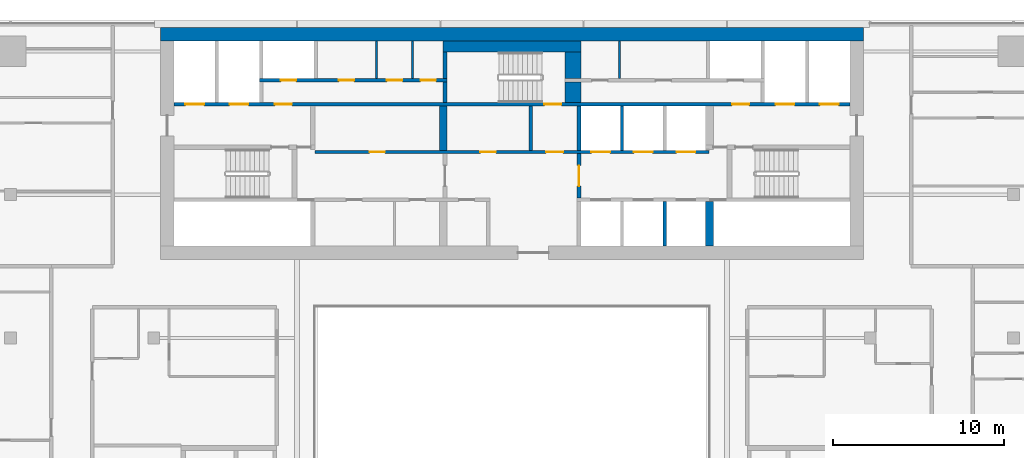
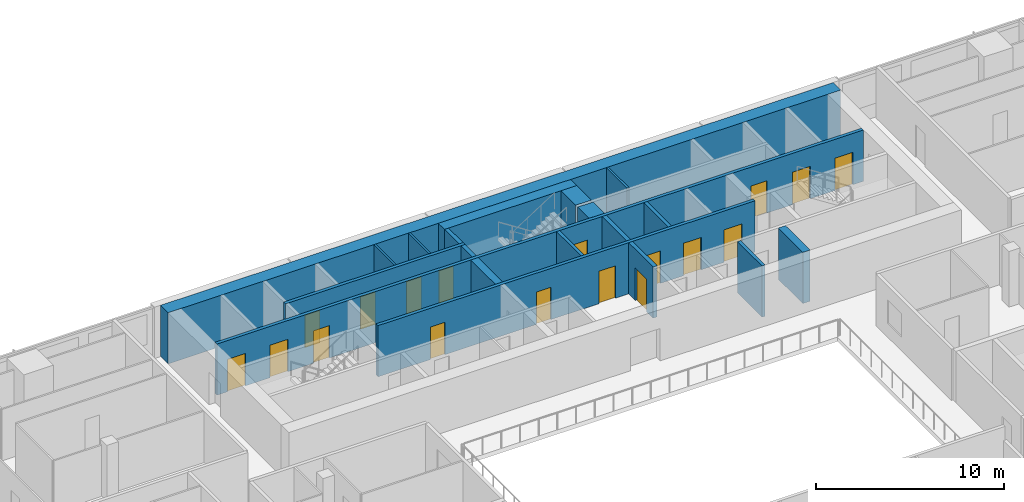
# One storey, part 22 of 30: 19 walls, 18 doors, 18 openings.
"""IFC4 building model written with IfcOpenShell, lengths in metres."""

from ifc_helpers import new_model, si_unit, direction, frame, frame_2d, origin, place, context, subcontext, project, spatial, rectangle, extrude, material, layer, layer_set, type_object, element, fill, save


model = new_model("IFC4")

# Units and contexts
model_context = context("Model", 3, precision=1e-05, world=origin(), true_north=direction((0.0, 1.0)))
body_context = subcontext(model_context, "Body", "Model", "MODEL_VIEW")
ifc_project = project(units=[si_unit("LENGTHUNIT", "METRE"), si_unit("AREAUNIT", "SQUARE_METRE"), si_unit("VOLUMEUNIT", "CUBIC_METRE"), si_unit("PLANEANGLEUNIT", "RADIAN"), si_unit("MASSUNIT", "GRAM", prefix="KILO")], contexts=[model_context])

# Site, building, storey
site_placement = place(None, origin())
site = spatial("IfcSite", under=ifc_project, at=site_placement, CompositionType="ELEMENT")
building_placement = place(site_placement, origin())
building = spatial("IfcBuilding", under=site, at=building_placement, Name="Saffron Gate Tower", CompositionType="ELEMENT")
storey_placement = place(building_placement, frame((0.0, 0.0, 165.449951171875)))
storey = spatial("IfcBuildingStorey", under=building, at=storey_placement, Name="L40", CompositionType="ELEMENT", Elevation=165.449951171875)

# Walls
ifc_material_1 = material(Name="Gypsum board partition on steel studs", Category="steel")
ifc_layer_1 = layer(ifc_material_1, 0.199951171875)
ifc_layer_set_1 = layer_set([ifc_layer_1], Name="CW10 Core partition 200")
wall_type_1 = type_object("IfcWallType", Name="CW10 Core partition 200", PredefinedType="PARTITIONING", material=ifc_layer_set_1)
wall_1_placement = place(storey_placement, frame((88.699951171875, 68.0, 0.0), z_axis=(0.0, 0.0, 1.0), x_axis=(0.0, 1.0, 0.0)))
element("IfcWall", 1, at=wall_1_placement, inside=storey, type_object=wall_type_1, Name="Wall CW10-L40-21", PredefinedType="PARTITIONING", context=body_context, shape_type="SweptSolid", body=[
    extrude(rectangle(XDim=2.60009765625, YDim=0.199951171875, at=frame_2d((1.300048828125, 0.0))), origin(), (0.0, 0.0, 1.0), 3.320068359375),
])
ifc_material_2 = material(Name="Concrete C60", Category="concrete")
ifc_layer_2 = layer(ifc_material_2, 0.800048828125)
ifc_layer_set_2 = layer_set([ifc_layer_2], Name="CW13 RC core wall 800 C60")
wall_type_2 = type_object("IfcWallType", Name="CW13 RC core wall 800 C60", PredefinedType="SOLIDWALL", material=ifc_layer_set_2)
wall_2_placement = place(storey_placement, frame((67.0, 74.800048828125, 0.0), z_axis=(0.0, 0.0, 1.0), x_axis=(1.0, 0.0, 0.0)))
element("IfcWall", 2, at=wall_2_placement, inside=storey, type_object=wall_type_2, Name="Wall CW13-L40-2", PredefinedType="SOLIDWALL", context=body_context, shape_type="SweptSolid", body=[
    extrude(rectangle(XDim=41.199951171875, YDim=0.800048828125, at=frame_2d((20.60009765625, 0.0))), origin(), (0.0, 0.0, 1.0), 3.320068359375),
])

# Wall, opening, door
ifc_layer_3 = layer(ifc_material_2, 0.25)
ifc_layer_set_3 = layer_set([ifc_layer_3], Name="CW14 RC core wall 250 C60")
wall_type_3 = type_object("IfcWallType", Name="CW14 RC core wall 250 C60", PredefinedType="SOLIDWALL", material=ifc_layer_set_3)
wall_3_placement = place(storey_placement, frame((91.52490234375, 65.199951171875, 0.0), z_axis=(0.0, 0.0, 1.0), x_axis=(0.0, 1.0, 0.0)))
wall_3 = element("IfcWall", 3, at=wall_3_placement, inside=storey, type_object=wall_type_3, Name="Wall CW14-L40-17", PredefinedType="SOLIDWALL", context=body_context, shape_type="SweptSolid", body=[
    extrude(rectangle(XDim=2.60009765625, YDim=0.25, at=frame_2d((1.300048828125, 0.0))), origin(), (0.0, 0.0, 1.0), 3.320068359375),
])
opening_1_placement = place(wall_3_placement, frame((0.699951171875, 0.0, 0.0)))
opening_1 = element("IfcOpeningElement", 4, at=opening_1_placement, cuts=wall_3, Name="Opening CR-01", PredefinedType="OPENING", context=body_context, shape_type="SweptSolid", body=[
    extrude(rectangle(XDim=1.199951171875, YDim=2.10009765625, at=frame_2d((0.60009765625, 1.050048828125))), frame((0.0, 0.135009765625, 0.0), z_axis=(0.0, -1.0, 0.0), x_axis=(1.0, 0.0, 0.0)), (0.0, 0.0, 1.0), 0.27001953125),
])
ifc_material_3 = material(Name="Steel fire door set", Category="steel")
door_type_1 = type_object("IfcDoorType", Name="CD3 Lobby door 1200x2100 EI 120", OperationType="NOTDEFINED", PredefinedType="DOOR", material=ifc_material_3)
door_1_placement = place(opening_1_placement, origin())
door_1 = element("IfcDoor", 5, at=door_1_placement, inside=storey, type_object=door_type_1, Name="DOOR CR-01", OperationType="SINGLE_SWING_RIGHT", OverallHeight=2.10009765625, OverallWidth=1.199951171875, PredefinedType="DOOR", context=body_context, shape_type="SweptSolid", body=[
    extrude(rectangle(XDim=1.199951171875, YDim=2.10009765625, at=frame_2d((0.60009765625, 1.050048828125))), frame((0.0, 0.02490234375, 0.0), z_axis=(0.0, -1.0, 0.0), x_axis=(1.0, 0.0, 0.0)), (0.0, 0.0, 1.0), 0.050048828125),
])
fill(opening_1, door_1)

# Walls
wall_4_placement = place(storey_placement, frame((91.52490234375, 68.0, 0.0), z_axis=(0.0, 0.0, 1.0), x_axis=(0.0, 1.0, 0.0)))
element("IfcWall", 6, at=wall_4_placement, inside=storey, type_object=wall_type_3, Name="Wall CW14-L40-22", PredefinedType="SOLIDWALL", context=body_context, shape_type="SweptSolid", body=[
    extrude(rectangle(XDim=2.60009765625, YDim=0.25, at=frame_2d((1.300048828125, 0.0))), origin(), (0.0, 0.0, 1.0), 3.320068359375),
])
wall_5_placement = place(storey_placement, frame((83.675048828125, 70.800048828125, 0.0), z_axis=(0.0, 0.0, 1.0), x_axis=(0.0, 1.0, 0.0)))
element("IfcWall", 7, at=wall_5_placement, inside=storey, type_object=wall_type_3, Name="Wall CW14-L40-33", PredefinedType="SOLIDWALL", context=body_context, shape_type="SweptSolid", body=[
    extrude(rectangle(XDim=1.199951171875, YDim=0.25, at=frame_2d((0.60009765625, 0.0))), origin(), (0.0, 0.0, 1.0), 3.320068359375),
])
wall_6_placement = place(storey_placement, frame((83.675048828125, 72.199951171875, 0.0), z_axis=(0.0, 0.0, 1.0), x_axis=(0.0, 1.0, 0.0)))
element("IfcWall", 8, at=wall_6_placement, inside=storey, type_object=wall_type_3, Name="Wall CW14-L40-43", PredefinedType="SOLIDWALL", context=body_context, shape_type="SweptSolid", body=[
    extrude(rectangle(XDim=1.550048828125, YDim=0.25, at=frame_2d((0.77490234375, 0.0))), origin(), (0.0, 0.0, 1.0), 3.320068359375),
])
ifc_layer_4 = layer(ifc_material_2, 0.199951171875)
ifc_layer_set_4 = layer_set([ifc_layer_4], Name="CW15 RC core wall 200 C60")
wall_type_4 = type_object("IfcWallType", Name="CW15 RC core wall 200 C60", PredefinedType="SOLIDWALL", material=ifc_layer_set_4)
wall_7_placement = place(storey_placement, frame((96.550048828125, 62.39990234375, 0.0), z_axis=(0.0, 0.0, 1.0), x_axis=(0.0, 1.0, 0.0)))
element("IfcWall", 9, at=wall_7_placement, inside=storey, type_object=wall_type_4, Name="Wall CW15-L40-11", PredefinedType="SOLIDWALL", context=body_context, shape_type="SweptSolid", body=[
    extrude(rectangle(XDim=2.60009765625, YDim=0.199951171875, at=frame_2d((1.300048828125, 0.0))), origin(), (0.0, 0.0, 1.0), 3.320068359375),
])

# Wall, openings, doors
wall_8_placement = place(storey_placement, frame((76.050048828125, 67.89990234375, 0.0), z_axis=(0.0, 0.0, 1.0), x_axis=(1.0, 0.0, 0.0)))
wall_8 = element("IfcWall", 10, at=wall_8_placement, inside=storey, type_object=wall_type_4, Name="Wall CW15-L40-19", PredefinedType="SOLIDWALL", context=body_context, shape_type="SweptSolid", body=[
    extrude(rectangle(XDim=23.099853515625, YDim=0.199951171875, at=frame_2d((11.5498046875, 0.0))), origin(), (0.0, 0.0, 1.0), 3.320068359375),
])
opening_2_placement = place(wall_8_placement, frame((3.199951171875, 0.0, 0.0)))
opening_2 = element("IfcOpeningElement", 11, at=opening_2_placement, cuts=wall_8, Name="Opening CR-61", PredefinedType="OPENING", context=body_context, shape_type="SweptSolid", body=[
    extrude(rectangle(XDim=0.89990234375, YDim=2.10009765625, at=frame_2d((0.449951171875, 1.050048828125))), frame((0.0, 0.10986328125, 0.0), z_axis=(0.0, -1.0, 0.0), x_axis=(1.0, 0.0, 0.0)), (0.0, 0.0, 1.0), 0.219970703125),
])
opening_3_placement = place(wall_8_placement, frame((9.699951171875, 0.0, 0.0)))
opening_3 = element("IfcOpeningElement", 12, at=opening_3_placement, cuts=wall_8, Name="Opening CR-67", PredefinedType="OPENING", context=body_context, shape_type="SweptSolid", body=[
    extrude(rectangle(XDim=0.89990234375, YDim=2.10009765625, at=frame_2d((0.449951171875, 1.050048828125))), frame((0.0, 0.10986328125, 0.0), z_axis=(0.0, -1.0, 0.0), x_axis=(1.0, 0.0, 0.0)), (0.0, 0.0, 1.0), 0.219970703125),
])
opening_4_placement = place(wall_8_placement, frame((13.550048828125, 0.0, 0.0)))
opening_4 = element("IfcOpeningElement", 13, at=opening_4_placement, cuts=wall_8, Name="Opening CR-02", PredefinedType="OPENING", context=body_context, shape_type="SweptSolid", body=[
    extrude(rectangle(XDim=1.0, YDim=2.10009765625, at=frame_2d((0.5, 1.050048828125))), frame((0.0, 0.10986328125, 0.0), z_axis=(0.0, -1.0, 0.0), x_axis=(1.0, 0.0, 0.0)), (0.0, 0.0, 1.0), 0.219970703125),
])
opening_5_placement = place(wall_8_placement, frame((16.199951171875, 0.0, 0.0)))
opening_5 = element("IfcOpeningElement", 14, at=opening_5_placement, cuts=wall_8, Name="Opening LD-HR4", PredefinedType="OPENING", context=body_context, shape_type="SweptSolid", body=[
    extrude(rectangle(XDim=1.10009765625, YDim=2.10009765625, at=frame_2d((0.550048828125, 1.050048828125))), frame((0.0, 0.10986328125, 0.0), z_axis=(0.0, -1.0, 0.0), x_axis=(1.0, 0.0, 0.0)), (0.0, 0.0, 1.0), 0.219970703125),
])
opening_6_placement = place(wall_8_placement, frame((18.699951171875, 0.0, 0.0)))
opening_6 = element("IfcOpeningElement", 15, at=opening_6_placement, cuts=wall_8, Name="Opening LD-HR5", PredefinedType="OPENING", context=body_context, shape_type="SweptSolid", body=[
    extrude(rectangle(XDim=1.10009765625, YDim=2.10009765625, at=frame_2d((0.550048828125, 1.050048828125))), frame((0.0, 0.10986328125, 0.0), z_axis=(0.0, -1.0, 0.0), x_axis=(1.0, 0.0, 0.0)), (0.0, 0.0, 1.0), 0.219970703125),
])
opening_7_placement = place(wall_8_placement, frame((21.199951171875, 0.0, 0.0)))
opening_7 = element("IfcOpeningElement", 16, at=opening_7_placement, cuts=wall_8, Name="Opening LD-HR6", PredefinedType="OPENING", context=body_context, shape_type="SweptSolid", body=[
    extrude(rectangle(XDim=1.10009765625, YDim=2.10009765625, at=frame_2d((0.550048828125, 1.050048828125))), frame((0.0, 0.10986328125, 0.0), z_axis=(0.0, -1.0, 0.0), x_axis=(1.0, 0.0, 0.0)), (0.0, 0.0, 1.0), 0.219970703125),
])
door_type_2 = type_object("IfcDoorType", Name="CD4 Lobby door 1000x2100 EI 120", OperationType="NOTDEFINED", PredefinedType="DOOR", material=ifc_material_3)
door_2_placement = place(opening_4_placement, origin())
door_2 = element("IfcDoor", 17, at=door_2_placement, inside=storey, type_object=door_type_2, Name="DOOR CR-02", OperationType="SINGLE_SWING_LEFT", OverallHeight=2.10009765625, OverallWidth=1.0, PredefinedType="DOOR", context=body_context, shape_type="SweptSolid", body=[
    extrude(rectangle(XDim=1.0, YDim=2.10009765625, at=frame_2d((0.5, 1.050048828125))), frame((0.0, 0.02490234375, 0.0), z_axis=(0.0, -1.0, 0.0), x_axis=(1.0, 0.0, 0.0)), (0.0, 0.0, 1.0), 0.050048828125),
])
fill(opening_4, door_2)
door_type_3 = type_object("IfcDoorType", Name="CD9 Room door 900x2100 EI 60", OperationType="NOTDEFINED", PredefinedType="DOOR", material=ifc_material_3)
door_3_placement = place(opening_2_placement, origin())
door_3 = element("IfcDoor", 18, at=door_3_placement, inside=storey, type_object=door_type_3, Name="DOOR CR-61", OperationType="SINGLE_SWING_LEFT", OverallHeight=2.10009765625, OverallWidth=0.89990234375, PredefinedType="DOOR", context=body_context, shape_type="SweptSolid", body=[
    extrude(rectangle(XDim=0.89990234375, YDim=2.10009765625, at=frame_2d((0.449951171875, 1.050048828125))), frame((0.0, 0.02490234375, 0.0), z_axis=(0.0, -1.0, 0.0), x_axis=(1.0, 0.0, 0.0)), (0.0, 0.0, 1.0), 0.050048828125),
])
fill(opening_2, door_3)
door_4_placement = place(opening_3_placement, origin())
door_4 = element("IfcDoor", 19, at=door_4_placement, inside=storey, type_object=door_type_3, Name="DOOR CR-67", OperationType="SINGLE_SWING_LEFT", OverallHeight=2.10009765625, OverallWidth=0.89990234375, PredefinedType="DOOR", context=body_context, shape_type="SweptSolid", body=[
    extrude(rectangle(XDim=0.89990234375, YDim=2.10009765625, at=frame_2d((0.449951171875, 1.050048828125))), frame((0.0, 0.02490234375, 0.0), z_axis=(0.0, -1.0, 0.0), x_axis=(1.0, 0.0, 0.0)), (0.0, 0.0, 1.0), 0.050048828125),
])
fill(opening_3, door_4)
ifc_material_4 = material(Name="Stainless steel landing door", Category="steel")
door_type_4 = type_object("IfcDoorType", Name="LD Lift landing door 1100x2100 EI 120", OperationType="SLIDING_TO_LEFT", PredefinedType="DOOR", material=ifc_material_4)
door_5_placement = place(opening_5_placement, origin())
door_5 = element("IfcDoor", 20, at=door_5_placement, inside=storey, type_object=door_type_4, Name="LANDING DOOR LD-HR4", OperationType="SLIDING_TO_RIGHT", OverallHeight=2.10009765625, OverallWidth=1.10009765625, PredefinedType="DOOR", context=body_context, shape_type="SweptSolid", body=[
    extrude(rectangle(XDim=1.10009765625, YDim=2.10009765625, at=frame_2d((0.550048828125, 1.050048828125))), frame((0.0, 0.02490234375, 0.0), z_axis=(0.0, -1.0, 0.0), x_axis=(1.0, 0.0, 0.0)), (0.0, 0.0, 1.0), 0.050048828125),
])
fill(opening_5, door_5)
door_6_placement = place(opening_6_placement, origin())
door_6 = element("IfcDoor", 21, at=door_6_placement, inside=storey, type_object=door_type_4, Name="LANDING DOOR LD-HR5", OperationType="SLIDING_TO_RIGHT", OverallHeight=2.10009765625, OverallWidth=1.10009765625, PredefinedType="DOOR", context=body_context, shape_type="SweptSolid", body=[
    extrude(rectangle(XDim=1.10009765625, YDim=2.10009765625, at=frame_2d((0.550048828125, 1.050048828125))), frame((0.0, 0.02490234375, 0.0), z_axis=(0.0, -1.0, 0.0), x_axis=(1.0, 0.0, 0.0)), (0.0, 0.0, 1.0), 0.050048828125),
])
fill(opening_6, door_6)
door_7_placement = place(opening_7_placement, origin())
door_7 = element("IfcDoor", 22, at=door_7_placement, inside=storey, type_object=door_type_4, Name="LANDING DOOR LD-HR6", OperationType="SLIDING_TO_RIGHT", OverallHeight=2.10009765625, OverallWidth=1.10009765625, PredefinedType="DOOR", context=body_context, shape_type="SweptSolid", body=[
    extrude(rectangle(XDim=1.10009765625, YDim=2.10009765625, at=frame_2d((0.550048828125, 1.050048828125))), frame((0.0, 0.02490234375, 0.0), z_axis=(0.0, -1.0, 0.0), x_axis=(1.0, 0.0, 0.0)), (0.0, 0.0, 1.0), 0.050048828125),
])
fill(opening_7, door_7)

# Wall
wall_9_placement = place(storey_placement, frame((94.050048828125, 68.0, 0.0), z_axis=(0.0, 0.0, 1.0), x_axis=(0.0, 1.0, 0.0)))
element("IfcWall", 23, at=wall_9_placement, inside=storey, type_object=wall_type_4, Name="Wall CW15-L40-23", PredefinedType="SOLIDWALL", context=body_context, shape_type="SweptSolid", body=[
    extrude(rectangle(XDim=2.60009765625, YDim=0.199951171875, at=frame_2d((1.300048828125, 0.0))), origin(), (0.0, 0.0, 1.0), 3.320068359375),
])

# Wall, openings, doors
wall_10_placement = place(storey_placement, frame((67.800048828125, 70.699951171875, 0.0), z_axis=(0.0, 0.0, 1.0), x_axis=(1.0, 0.0, 0.0)))
wall_10 = element("IfcWall", 24, at=wall_10_placement, inside=storey, type_object=wall_type_4, Name="Wall CW15-L40-30", PredefinedType="SOLIDWALL", context=body_context, shape_type="SweptSolid", body=[
    extrude(rectangle(XDim=39.599853515625, YDim=0.199951171875, at=frame_2d((19.7998046875, 0.0))), origin(), (0.0, 0.0, 1.0), 3.320068359375),
])
opening_8_placement = place(wall_10_placement, frame((0.64990234375, 0.0, 0.0)))
opening_8 = element("IfcOpeningElement", 25, at=opening_8_placement, cuts=wall_10, Name="Opening LD-FF1", PredefinedType="OPENING", context=body_context, shape_type="SweptSolid", body=[
    extrude(rectangle(XDim=1.10009765625, YDim=2.10009765625, at=frame_2d((0.550048828125, 1.050048828125))), frame((0.0, 0.10986328125, 0.0), z_axis=(0.0, -1.0, 0.0), x_axis=(1.0, 0.0, 0.0)), (0.0, 0.0, 1.0), 0.219970703125),
])
opening_9_placement = place(wall_10_placement, frame((3.25, 0.0, 0.0)))
opening_9 = element("IfcOpeningElement", 26, at=opening_9_placement, cuts=wall_10, Name="Opening LD-SV1", PredefinedType="OPENING", context=body_context, shape_type="SweptSolid", body=[
    extrude(rectangle(XDim=1.10009765625, YDim=2.10009765625, at=frame_2d((0.550048828125, 1.050048828125))), frame((0.0, 0.10986328125, 0.0), z_axis=(0.0, -1.0, 0.0), x_axis=(1.0, 0.0, 0.0)), (0.0, 0.0, 1.0), 0.219970703125),
])
opening_10_placement = place(wall_10_placement, frame((5.89990234375, 0.0, 0.0)))
opening_10 = element("IfcOpeningElement", 27, at=opening_10_placement, cuts=wall_10, Name="Opening CR-03", PredefinedType="OPENING", context=body_context, shape_type="SweptSolid", body=[
    extrude(rectangle(XDim=1.0, YDim=2.10009765625, at=frame_2d((0.5, 1.050048828125))), frame((0.0, 0.10986328125, 0.0), z_axis=(0.0, -1.0, 0.0), x_axis=(1.0, 0.0, 0.0)), (0.0, 0.0, 1.0), 0.219970703125),
])
opening_11_placement = place(wall_10_placement, frame((21.699951171875, 0.0, 0.0)))
opening_11 = element("IfcOpeningElement", 28, at=opening_11_placement, cuts=wall_10, Name="Opening CR-17", PredefinedType="OPENING", context=body_context, shape_type="SweptSolid", body=[
    extrude(rectangle(XDim=1.0, YDim=2.10009765625, at=frame_2d((0.5, 1.050048828125))), frame((0.0, 0.10986328125, 0.0), z_axis=(0.0, -1.0, 0.0), x_axis=(1.0, 0.0, 0.0)), (0.0, 0.0, 1.0), 0.219970703125),
])
opening_12_placement = place(wall_10_placement, frame((32.699951171875, 0.0, 0.0)))
opening_12 = element("IfcOpeningElement", 29, at=opening_12_placement, cuts=wall_10, Name="Opening CR-04", PredefinedType="OPENING", context=body_context, shape_type="SweptSolid", body=[
    extrude(rectangle(XDim=1.0, YDim=2.10009765625, at=frame_2d((0.5, 1.050048828125))), frame((0.0, 0.10986328125, 0.0), z_axis=(0.0, -1.0, 0.0), x_axis=(1.0, 0.0, 0.0)), (0.0, 0.0, 1.0), 0.219970703125),
])
opening_13_placement = place(wall_10_placement, frame((35.25, 0.0, 0.0)))
opening_13 = element("IfcOpeningElement", 30, at=opening_13_placement, cuts=wall_10, Name="Opening LD-SV2", PredefinedType="OPENING", context=body_context, shape_type="SweptSolid", body=[
    extrude(rectangle(XDim=1.10009765625, YDim=2.10009765625, at=frame_2d((0.550048828125, 1.050048828125))), frame((0.0, 0.10986328125, 0.0), z_axis=(0.0, -1.0, 0.0), x_axis=(1.0, 0.0, 0.0)), (0.0, 0.0, 1.0), 0.219970703125),
])
opening_14_placement = place(wall_10_placement, frame((37.85009765625, 0.0, 0.0)))
opening_14 = element("IfcOpeningElement", 31, at=opening_14_placement, cuts=wall_10, Name="Opening LD-FF2", PredefinedType="OPENING", context=body_context, shape_type="SweptSolid", body=[
    extrude(rectangle(XDim=1.10009765625, YDim=2.10009765625, at=frame_2d((0.550048828125, 1.050048828125))), frame((0.0, 0.10986328125, 0.0), z_axis=(0.0, -1.0, 0.0), x_axis=(1.0, 0.0, 0.0)), (0.0, 0.0, 1.0), 0.219970703125),
])
door_8_placement = place(opening_10_placement, origin())
door_8 = element("IfcDoor", 32, at=door_8_placement, inside=storey, type_object=door_type_2, Name="DOOR CR-03", OperationType="SINGLE_SWING_LEFT", OverallHeight=2.10009765625, OverallWidth=1.0, PredefinedType="DOOR", context=body_context, shape_type="SweptSolid", body=[
    extrude(rectangle(XDim=1.0, YDim=2.10009765625, at=frame_2d((0.5, 1.050048828125))), frame((0.0, 0.02490234375, 0.0), z_axis=(0.0, -1.0, 0.0), x_axis=(1.0, 0.0, 0.0)), (0.0, 0.0, 1.0), 0.050048828125),
])
fill(opening_10, door_8)
door_9_placement = place(opening_12_placement, origin())
door_9 = element("IfcDoor", 33, at=door_9_placement, inside=storey, type_object=door_type_2, Name="DOOR CR-04", OperationType="SINGLE_SWING_RIGHT", OverallHeight=2.10009765625, OverallWidth=1.0, PredefinedType="DOOR", context=body_context, shape_type="SweptSolid", body=[
    extrude(rectangle(XDim=1.0, YDim=2.10009765625, at=frame_2d((0.5, 1.050048828125))), frame((0.0, 0.02490234375, 0.0), z_axis=(0.0, -1.0, 0.0), x_axis=(1.0, 0.0, 0.0)), (0.0, 0.0, 1.0), 0.050048828125),
])
fill(opening_12, door_9)
door_type_5 = type_object("IfcDoorType", Name="CD5 Stair door 1000x2100 EI 120", OperationType="NOTDEFINED", PredefinedType="DOOR", material=ifc_material_3)
door_10_placement = place(opening_11_placement, origin())
door_10 = element("IfcDoor", 34, at=door_10_placement, inside=storey, type_object=door_type_5, Name="DOOR CR-17", OperationType="SINGLE_SWING_RIGHT", OverallHeight=2.10009765625, OverallWidth=1.0, PredefinedType="DOOR", context=body_context, shape_type="SweptSolid", body=[
    extrude(rectangle(XDim=1.0, YDim=2.10009765625, at=frame_2d((0.5, 1.050048828125))), frame((0.0, 0.02490234375, 0.0), z_axis=(0.0, -1.0, 0.0), x_axis=(1.0, 0.0, 0.0)), (0.0, 0.0, 1.0), 0.050048828125),
])
fill(opening_11, door_10)
door_11_placement = place(opening_8_placement, origin())
door_11 = element("IfcDoor", 35, at=door_11_placement, inside=storey, type_object=door_type_4, Name="LANDING DOOR LD-FF1", OperationType="SLIDING_TO_RIGHT", OverallHeight=2.10009765625, OverallWidth=1.10009765625, PredefinedType="DOOR", context=body_context, shape_type="SweptSolid", body=[
    extrude(rectangle(XDim=1.10009765625, YDim=2.10009765625, at=frame_2d((0.550048828125, 1.050048828125))), frame((0.0, 0.02490234375, 0.0), z_axis=(0.0, -1.0, 0.0), x_axis=(1.0, 0.0, 0.0)), (0.0, 0.0, 1.0), 0.050048828125),
])
fill(opening_8, door_11)
door_12_placement = place(opening_9_placement, origin())
door_12 = element("IfcDoor", 36, at=door_12_placement, inside=storey, type_object=door_type_4, Name="LANDING DOOR LD-SV1", OperationType="SLIDING_TO_RIGHT", OverallHeight=2.10009765625, OverallWidth=1.10009765625, PredefinedType="DOOR", context=body_context, shape_type="SweptSolid", body=[
    extrude(rectangle(XDim=1.10009765625, YDim=2.10009765625, at=frame_2d((0.550048828125, 1.050048828125))), frame((0.0, 0.02490234375, 0.0), z_axis=(0.0, -1.0, 0.0), x_axis=(1.0, 0.0, 0.0)), (0.0, 0.0, 1.0), 0.050048828125),
])
fill(opening_9, door_12)
door_13_placement = place(opening_13_placement, origin())
door_13 = element("IfcDoor", 37, at=door_13_placement, inside=storey, type_object=door_type_4, Name="LANDING DOOR LD-SV2", OperationType="SLIDING_TO_RIGHT", OverallHeight=2.10009765625, OverallWidth=1.10009765625, PredefinedType="DOOR", context=body_context, shape_type="SweptSolid", body=[
    extrude(rectangle(XDim=1.10009765625, YDim=2.10009765625, at=frame_2d((0.550048828125, 1.050048828125))), frame((0.0, 0.02490234375, 0.0), z_axis=(0.0, -1.0, 0.0), x_axis=(1.0, 0.0, 0.0)), (0.0, 0.0, 1.0), 0.050048828125),
])
fill(opening_13, door_13)
door_14_placement = place(opening_14_placement, origin())
door_14 = element("IfcDoor", 38, at=door_14_placement, inside=storey, type_object=door_type_4, Name="LANDING DOOR LD-FF2", OperationType="SLIDING_TO_RIGHT", OverallHeight=2.10009765625, OverallWidth=1.10009765625, PredefinedType="DOOR", context=body_context, shape_type="SweptSolid", body=[
    extrude(rectangle(XDim=1.10009765625, YDim=2.10009765625, at=frame_2d((0.550048828125, 1.050048828125))), frame((0.0, 0.02490234375, 0.0), z_axis=(0.0, -1.0, 0.0), x_axis=(1.0, 0.0, 0.0)), (0.0, 0.0, 1.0), 0.050048828125),
])
fill(opening_14, door_14)

wall_11_placement = place(storey_placement, frame((72.800048828125, 72.10009765625, 0.0), z_axis=(0.0, 0.0, 1.0), x_axis=(1.0, 0.0, 0.0)))
wall_11 = element("IfcWall", 39, at=wall_11_placement, inside=storey, type_object=wall_type_4, Name="Wall CW15-L40-37", PredefinedType="SOLIDWALL", context=body_context, shape_type="SweptSolid", body=[
    extrude(rectangle(XDim=11.0, YDim=0.199951171875, at=frame_2d((5.5, 0.0))), origin(), (0.0, 0.0, 1.0), 3.320068359375),
])
opening_15_placement = place(wall_11_placement, frame((1.25, 0.0, 0.0)))
opening_15 = element("IfcOpeningElement", 40, at=opening_15_placement, cuts=wall_11, Name="Opening CR-71", PredefinedType="OPENING", context=body_context, shape_type="SweptSolid", body=[
    extrude(rectangle(XDim=0.89990234375, YDim=2.10009765625, at=frame_2d((0.449951171875, 1.050048828125))), frame((0.0, 0.10986328125, 0.0), z_axis=(0.0, -1.0, 0.0), x_axis=(1.0, 0.0, 0.0)), (0.0, 0.0, 1.0), 0.219970703125),
])
opening_16_placement = place(wall_11_placement, frame((4.64990234375, 0.0, 0.0)))
opening_16 = element("IfcOpeningElement", 41, at=opening_16_placement, cuts=wall_11, Name="Opening CR-55", PredefinedType="OPENING", context=body_context, shape_type="SweptSolid", body=[
    extrude(rectangle(XDim=0.89990234375, YDim=2.10009765625, at=frame_2d((0.449951171875, 1.050048828125))), frame((0.0, 0.10986328125, 0.0), z_axis=(0.0, -1.0, 0.0), x_axis=(1.0, 0.0, 0.0)), (0.0, 0.0, 1.0), 0.219970703125),
])
opening_17_placement = place(wall_11_placement, frame((7.469970703125, 0.0, 0.0)))
opening_17 = element("IfcOpeningElement", 42, at=opening_17_placement, cuts=wall_11, Name="Opening CR-58", PredefinedType="OPENING", context=body_context, shape_type="SweptSolid", body=[
    extrude(rectangle(XDim=0.89990234375, YDim=2.10009765625, at=frame_2d((0.449951171875, 1.050048828125))), frame((0.0, 0.10986328125, 0.0), z_axis=(0.0, -1.0, 0.0), x_axis=(1.0, 0.0, 0.0)), (0.0, 0.0, 1.0), 0.219970703125),
])
opening_18_placement = place(wall_11_placement, frame((9.445068359375, 0.0, 0.0)))
opening_18 = element("IfcOpeningElement", 43, at=opening_18_placement, cuts=wall_11, Name="Opening CR-59", PredefinedType="OPENING", context=body_context, shape_type="SweptSolid", body=[
    extrude(rectangle(XDim=0.89990234375, YDim=2.10009765625, at=frame_2d((0.449951171875, 1.050048828125))), frame((0.0, 0.10986328125, 0.0), z_axis=(0.0, -1.0, 0.0), x_axis=(1.0, 0.0, 0.0)), (0.0, 0.0, 1.0), 0.219970703125),
])
door_type_6 = type_object("IfcDoorType", Name="CD2 Riser door 900x2100 EI 60", OperationType="NOTDEFINED", PredefinedType="DOOR", material=ifc_material_3)
door_15_placement = place(opening_15_placement, origin())
door_15 = element("IfcDoor", 44, at=door_15_placement, inside=storey, type_object=door_type_6, Name="DOOR CR-71", OperationType="SINGLE_SWING_LEFT", OverallHeight=2.10009765625, OverallWidth=0.89990234375, PredefinedType="DOOR", context=body_context, shape_type="SweptSolid", body=[
    extrude(rectangle(XDim=0.89990234375, YDim=2.10009765625, at=frame_2d((0.449951171875, 1.050048828125))), frame((0.0, 0.02490234375, 0.0), z_axis=(0.0, -1.0, 0.0), x_axis=(1.0, 0.0, 0.0)), (0.0, 0.0, 1.0), 0.050048828125),
])
fill(opening_15, door_15)
door_16_placement = place(opening_16_placement, origin())
door_16 = element("IfcDoor", 45, at=door_16_placement, inside=storey, type_object=door_type_3, Name="DOOR CR-55", OperationType="SINGLE_SWING_LEFT", OverallHeight=2.10009765625, OverallWidth=0.89990234375, PredefinedType="DOOR", context=body_context, shape_type="SweptSolid", body=[
    extrude(rectangle(XDim=0.89990234375, YDim=2.10009765625, at=frame_2d((0.449951171875, 1.050048828125))), frame((0.0, 0.02490234375, 0.0), z_axis=(0.0, -1.0, 0.0), x_axis=(1.0, 0.0, 0.0)), (0.0, 0.0, 1.0), 0.050048828125),
])
fill(opening_16, door_16)
door_17_placement = place(opening_17_placement, origin())
door_17 = element("IfcDoor", 46, at=door_17_placement, inside=storey, type_object=door_type_3, Name="DOOR CR-58", OperationType="SINGLE_SWING_LEFT", OverallHeight=2.10009765625, OverallWidth=0.89990234375, PredefinedType="DOOR", context=body_context, shape_type="SweptSolid", body=[
    extrude(rectangle(XDim=0.89990234375, YDim=2.10009765625, at=frame_2d((0.449951171875, 1.050048828125))), frame((0.0, 0.02490234375, 0.0), z_axis=(0.0, -1.0, 0.0), x_axis=(1.0, 0.0, 0.0)), (0.0, 0.0, 1.0), 0.050048828125),
])
fill(opening_17, door_17)
door_18_placement = place(opening_18_placement, origin())
door_18 = element("IfcDoor", 47, at=door_18_placement, inside=storey, type_object=door_type_3, Name="DOOR CR-59", OperationType="SINGLE_SWING_LEFT", OverallHeight=2.10009765625, OverallWidth=0.89990234375, PredefinedType="DOOR", context=body_context, shape_type="SweptSolid", body=[
    extrude(rectangle(XDim=0.89990234375, YDim=2.10009765625, at=frame_2d((0.449951171875, 1.050048828125))), frame((0.0, 0.02490234375, 0.0), z_axis=(0.0, -1.0, 0.0), x_axis=(1.0, 0.0, 0.0)), (0.0, 0.0, 1.0), 0.050048828125),
])
fill(opening_18, door_18)

# Walls
ifc_layer_5 = layer(ifc_material_2, 0.449951171875)
ifc_layer_set_5 = layer_set([ifc_layer_5], Name="CW16 RC core wall 450 C60")
wall_type_5 = type_object("IfcWallType", Name="CW16 RC core wall 450 C60", PredefinedType="SOLIDWALL", material=ifc_layer_set_5)
for number, where, z_axis, x_axis, name in (
    (48, (99.175048828125, 62.39990234375, 0.0), (0.0, 0.0, 1.0), (0.0, 1.0, 0.0), "Wall CW16-L40-12"),
    (49, (83.574951171875, 68.0, 0.0), (0.0, 0.0, 1.0), (0.0, 1.0, 0.0), "Wall CW16-L40-20"),
):
    element("IfcWall", number, at=place(storey_placement, frame(where, z_axis=z_axis, x_axis=x_axis)), inside=storey, type_object=wall_type_5, Name=name, PredefinedType="SOLIDWALL", context=body_context, shape_type="SweptSolid", body=[
        extrude(rectangle(XDim=2.60009765625, YDim=0.449951171875, at=frame_2d((1.300048828125, 0.0))), origin(), (0.0, 0.0, 1.0), 3.320068359375),
    ])
ifc_layer_6 = layer(ifc_material_2, 0.949951171875)
ifc_layer_set_6 = layer_set([ifc_layer_6], Name="CW19 RC core wall 950 C60")
wall_type_6 = type_object("IfcWallType", Name="CW19 RC core wall 950 C60", PredefinedType="SOLIDWALL", material=ifc_layer_set_6)
wall_12_placement = place(storey_placement, frame((91.175048828125, 70.800048828125, 0.0), z_axis=(0.0, 0.0, 1.0), x_axis=(0.0, 1.0, 0.0)))
element("IfcWall", 50, at=wall_12_placement, inside=storey, type_object=wall_type_6, Name="Wall CW19-L40-34", PredefinedType="SOLIDWALL", context=body_context, shape_type="SweptSolid", body=[
    extrude(rectangle(XDim=1.199951171875, YDim=0.949951171875, at=frame_2d((0.60009765625, 0.0))), origin(), (0.0, 0.0, 1.0), 3.320068359375),
])
wall_13_placement = place(storey_placement, frame((91.175048828125, 72.199951171875, 0.0), z_axis=(0.0, 0.0, 1.0), x_axis=(0.0, 1.0, 0.0)))
element("IfcWall", 51, at=wall_13_placement, inside=storey, type_object=wall_type_6, Name="Wall CW19-L40-44", PredefinedType="SOLIDWALL", context=body_context, shape_type="SweptSolid", body=[
    extrude(rectangle(XDim=1.550048828125, YDim=0.949951171875, at=frame_2d((0.77490234375, 0.0))), origin(), (0.0, 0.0, 1.0), 3.320068359375),
])
ifc_layer_7 = layer(ifc_material_2, 0.64990234375)
ifc_layer_set_7 = layer_set([ifc_layer_7], Name="CW20 RC core wall 650 C60")
wall_type_7 = type_object("IfcWallType", Name="CW20 RC core wall 650 C60", PredefinedType="SOLIDWALL", material=ifc_layer_set_7)
wall_14_placement = place(storey_placement, frame((83.550048828125, 74.074951171875, 0.0), z_axis=(0.0, 0.0, 1.0), x_axis=(1.0, 0.0, 0.0)))
element("IfcWall", 52, at=wall_14_placement, inside=storey, type_object=wall_type_7, Name="Wall CW20-L40-48", PredefinedType="SOLIDWALL", context=body_context, shape_type="SweptSolid", body=[
    extrude(rectangle(XDim=8.099853515625, YDim=0.64990234375, at=frame_2d((4.0498046875, 0.0))), origin(), (0.0, 0.0, 1.0), 3.320068359375),
])
ifc_layer_8 = layer(ifc_material_1, 0.1201171875)
ifc_layer_set_8 = layer_set([ifc_layer_8], Name="CW8 Core partition 120")
wall_type_8 = type_object("IfcWallType", Name="CW8 Core partition 120", PredefinedType="PARTITIONING", material=ifc_layer_set_8)
for number, where, z_axis, x_axis, name in (
    (53, (79.659912109375, 72.199951171875, 0.0), (0.0, 0.0, 1.0), (0.0, 1.0, 0.0), "Wall CW8-L40-41"),
    (54, (81.780029296875, 72.199951171875, 0.0), (0.0, 0.0, 1.0), (0.0, 1.0, 0.0), "Wall CW8-L40-42"),
    (55, (93.909912109375, 72.199951171875, 0.0), (0.0, 0.0, 1.0), (0.0, 1.0, 0.0), "Wall CW8-L40-45"),
):
    element("IfcWall", number, at=place(storey_placement, frame(where, z_axis=z_axis, x_axis=x_axis)), inside=storey, type_object=wall_type_8, Name=name, PredefinedType="PARTITIONING", context=body_context, shape_type="SweptSolid", body=[
        extrude(rectangle(XDim=2.199951171875, YDim=0.1201171875, at=frame_2d((1.10009765625, 0.0))), origin(), (0.0, 0.0, 1.0), 3.320068359375),
    ])

save(model, "model.ifc")
